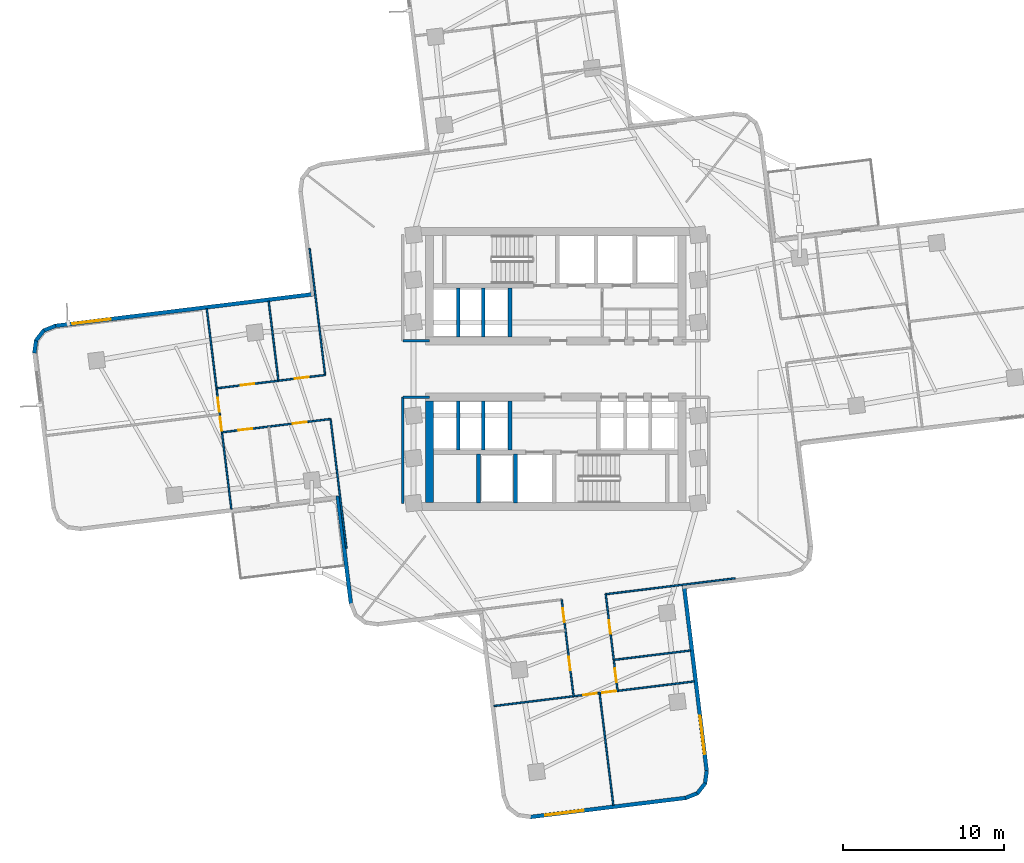
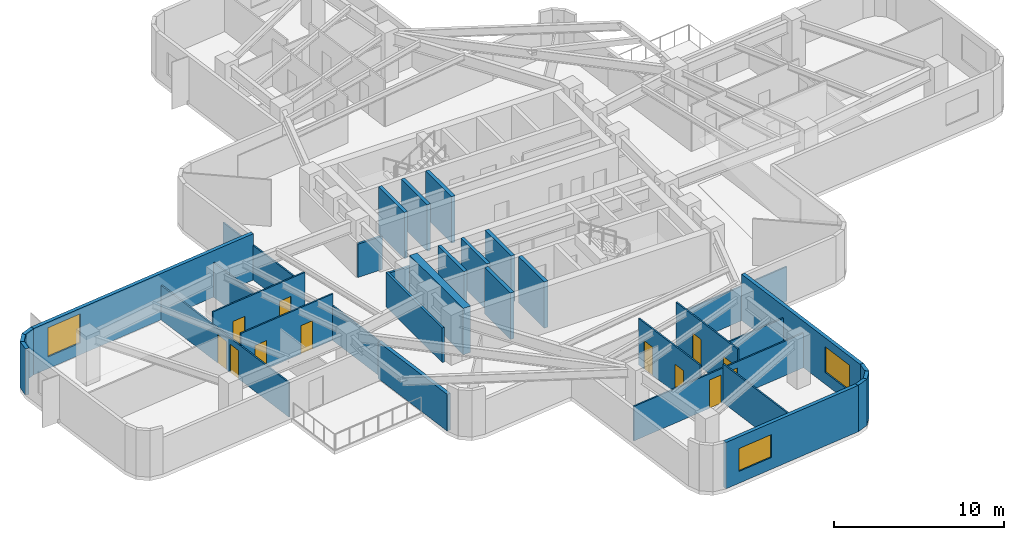
# One storey, part 3 of 9: 34 walls, 12 doors, 3 windows, 15 openings.
"""IFC4 building model written with IfcOpenShell, lengths in metres."""

import ifcopenshell
import ifcopenshell.guid

model = None  # the IFC model being written
_history = None  # IfcOwnerHistory: only IFC2X3 demands one
_inside = {}  # id of a spatial element -> (the spatial element, [elements in it])
_under = {}  # id of a project, library or spatial element -> (it, [spatial elements below it])
_declared = {}  # id of a project -> (the project, [libraries it declares])
_typed = {}  # id of a type object -> (the type object, [elements of that type])
_made_of = {}  # id of a material, layer set ... -> (it, [elements and type objects made of it])


def new_model(schema):
    """Start an empty IFC model of exactly this schema.

    Asked for "IFC4X3", IfcOpenShell would pick the latest addendum, in which some entities
    have other attributes; the version numbers below select the first issue.
    IFC2X3 requires an IfcOwnerHistory on every rooted entity: one is made here for all.
    """
    global model, _history
    if schema == "IFC4X3":
        model = ifcopenshell.file(schema_version=(4, 3, 0, 0))
    else:
        model = ifcopenshell.file(schema=schema)
    _inside.clear()
    _under.clear()
    _declared.clear()
    _typed.clear()
    _made_of.clear()
    _history = None
    if model.schema == "IFC2X3":
        org = make("IfcOrganization", Name="unknown")
        user = make(
            "IfcPersonAndOrganization",
            ThePerson=make("IfcPerson", FamilyName="unknown"),
            TheOrganization=org,
        )
        app = make(
            "IfcApplication",
            ApplicationDeveloper=org,
            Version="unknown",
            ApplicationFullName="unknown",
            ApplicationIdentifier="unknown",
        )
        _history = make(
            "IfcOwnerHistory",
            OwningUser=user,
            OwningApplication=app,
            ChangeAction="ADDED",
            CreationDate=0,
        )
    return model


def make(cls, **values):
    """One entity of the class cls with the attributes given. An attribute that is None is left unset."""
    return model.create_entity(
        cls, **{name: value for name, value in values.items() if value is not None}
    )


def rooted(cls, **values):
    """An entity with a GlobalId (a new one), such as an element, a storey or a relation."""
    return make(cls, GlobalId=ifcopenshell.guid.new(), OwnerHistory=_history, **values)


def si_unit(unit_type, name, prefix=None):
    """IfcSIUnit, for example si_unit("LENGTHUNIT", "METRE", prefix="MILLI")."""
    return make("IfcSIUnit", UnitType=unit_type, Prefix=prefix, Name=name)


def assignment(units):
    """IfcUnitAssignment: the units of a project."""
    return None if units is None else make("IfcUnitAssignment", Units=units)


def point(xyz):
    """IfcCartesianPoint."""
    return None if xyz is None else make("IfcCartesianPoint", Coordinates=xyz)


def direction(xyz):
    """IfcDirection."""
    return None if xyz is None else make("IfcDirection", DirectionRatios=xyz)


def frame(location, z_axis=None, x_axis=None):
    """IfcAxis2Placement3D, a coordinate frame: its origin and axes. An axis left out is left unset."""
    return make(
        "IfcAxis2Placement3D",
        Location=point(location),
        Axis=direction(z_axis),
        RefDirection=direction(x_axis),
    )


def frame_2d(location, x_axis=None):
    """IfcAxis2Placement2D, a coordinate frame in the plane: its origin and x axis."""
    return make(
        "IfcAxis2Placement2D", Location=point(location), RefDirection=direction(x_axis)
    )


def origin():
    """The frame at (0, 0, 0) with its axes left unset."""
    return frame((0.0, 0.0, 0.0))


def place(relative_to, where):
    """IfcLocalPlacement: puts the frame where relative to a parent placement (None: the world)."""
    return make(
        "IfcLocalPlacement", PlacementRelTo=relative_to, RelativePlacement=where
    )


def context(
    kind, dimensions, precision=None, world=None, true_north=None, identifier=None
):
    """IfcGeometricRepresentationContext, for example the 3D "Model" context."""
    return make(
        "IfcGeometricRepresentationContext",
        ContextIdentifier=identifier,
        ContextType=kind,
        CoordinateSpaceDimension=dimensions,
        Precision=precision,
        WorldCoordinateSystem=world,
        TrueNorth=true_north,
    )


def subcontext(parent, identifier, kind, view, scale=None):
    """IfcGeometricRepresentationSubContext, for example "Body" below "Model"."""
    return make(
        "IfcGeometricRepresentationSubContext",
        ContextIdentifier=identifier,
        ContextType=kind,
        ParentContext=parent,
        TargetScale=scale,
        TargetView=view,
    )


def project(units=None, contexts=None):
    """IfcProject with its units and contexts."""
    return rooted(
        "IfcProject",
        Name="project",
        RepresentationContexts=contexts,
        UnitsInContext=assignment(units),
    )


def spatial(cls, under=None, at=None, **own):
    """A site, building, storey or space (cls), placed at a placement, below another one or the project."""
    s = rooted(cls, ObjectPlacement=at, **own)
    if under is not None:
        _under.setdefault(under.id(), (under, []))[1].append(s)
    return s


def profile(cls, at=None, kind="AREA", **sizes):
    """A parametric profile (cls). Its sizes go by their IFC names, for example OverallWidth=200.0."""
    return make(cls, ProfileType=kind, Position=at, **sizes)


def rectangle(**sizes):
    """IfcRectangleProfileDef."""
    return profile("IfcRectangleProfileDef", **sizes)


def extrude(swept, where, along, depth):
    """IfcExtrudedAreaSolid: the profile swept, set in the frame where, extruded along a direction by depth."""
    return make(
        "IfcExtrudedAreaSolid",
        SweptArea=swept,
        Position=where,
        ExtrudedDirection=direction(along),
        Depth=depth,
    )


def shape(context_of_items, identifier, shape_type, items):
    """IfcShapeRepresentation: the items that make up one representation, for example the "Body"."""
    return make(
        "IfcShapeRepresentation",
        ContextOfItems=context_of_items,
        RepresentationIdentifier=identifier,
        RepresentationType=shape_type,
        Items=items,
    )


def material(Name=None, Category=None):
    """IfcMaterial."""
    return make("IfcMaterial", Name=Name, Category=Category)


def layer(
    of_material, thickness, ventilated=None, Name=None, Category=None, Priority=None
):
    """IfcMaterialLayer: one layer of a wall or slab, of a material (None: an air gap)."""
    return make(
        "IfcMaterialLayer",
        Material=of_material,
        LayerThickness=thickness,
        IsVentilated=ventilated,
        Name=Name,
        Category=Category,
        Priority=Priority,
    )


def layer_set(layers, Name=None):
    """IfcMaterialLayerSet."""
    return make("IfcMaterialLayerSet", MaterialLayers=layers, LayerSetName=Name)


def made_of(thing, what):
    """Note that an element or type object is made of a material, layer set ...; save() writes the relation."""
    if what is not None:
        _made_of.setdefault(what.id(), (what, []))[1].append(thing)
    return thing


def type_object(cls, material=None, **own):
    """A type object (cls), such as IfcWallType, which elements share."""
    return made_of(rooted(cls, **own), material)


def element(
    cls,
    number,
    at=None,
    inside=None,
    cuts=None,
    type_object=None,
    material=None,
    context=None,
    identifier="Body",
    shape_type=None,
    held_by="IfcProductDefinitionShape",
    body=None,
    shapes=None,
    **own,
):
    """One element of the class cls, such as IfcWall. Its Tag is "e" and its number.

    at: its placement. inside: the storey or other place that contains it. cuts: it is an
    opening in that element (IfcRelVoidsElement). A single representation is given by context,
    identifier, shape_type and body (its items); several are given by shapes. held_by: the class
    of the entity that holds the representations. save() writes the other relations.
    """
    e = rooted(cls, Tag="e%d" % number, ObjectPlacement=at, **own)
    if body is not None:
        shapes = [shape(context, identifier, shape_type, body)]
    if shapes is not None:
        e.Representation = make(held_by, Representations=shapes)
    if inside is not None:
        _inside.setdefault(inside.id(), (inside, []))[1].append(e)
    if cuts is not None:
        rooted(
            "IfcRelVoidsElement", RelatingBuildingElement=cuts, RelatedOpeningElement=e
        )
    if type_object is not None:
        _typed.setdefault(type_object.id(), (type_object, []))[1].append(e)
    return made_of(e, material)


def fill(opening, filler):
    """IfcRelFillsElement: the door or window that sits in an opening."""
    return rooted(
        "IfcRelFillsElement",
        RelatingOpeningElement=opening,
        RelatedBuildingElement=filler,
    )


def aggregate(whole, parts):
    """IfcRelAggregates: a whole, such as a stair, and the parts it consists of."""
    return rooted("IfcRelAggregates", RelatingObject=whole, RelatedObjects=parts)


def save(model, path):
    """Write the relations noted so far, then the file.

    IfcRelAggregates (storeys below a building ...), IfcRelContainedInSpatialStructure (elements
    in a storey), IfcRelDefinesByType, IfcRelAssociatesMaterial and IfcRelDeclares: one each for
    every whole, place, type object, material and project.
    """
    for whole, parts in _under.values():
        aggregate(whole, parts)
    for where, things in _inside.values():
        rooted(
            "IfcRelContainedInSpatialStructure",
            RelatedElements=things,
            RelatingStructure=where,
        )
    for kind, things in _typed.values():
        rooted("IfcRelDefinesByType", RelatedObjects=things, RelatingType=kind)
    for what, things in _made_of.values():
        rooted("IfcRelAssociatesMaterial", RelatedObjects=things, RelatingMaterial=what)
    for by, libraries in _declared.values():
        rooted("IfcRelDeclares", RelatingContext=by, RelatedDefinitions=libraries)
    model.write(path)


model = new_model("IFC4")

# Units and contexts
model_context = context("Model", 3, precision=1e-05, world=origin(), true_north=direction((0.0, 1.0)))
body_context = subcontext(model_context, "Body", "Model", "MODEL_VIEW")
ifc_project = project(units=[si_unit("LENGTHUNIT", "METRE"), si_unit("AREAUNIT", "SQUARE_METRE"), si_unit("VOLUMEUNIT", "CUBIC_METRE"), si_unit("PLANEANGLEUNIT", "RADIAN"), si_unit("MASSUNIT", "GRAM", prefix="KILO")], contexts=[model_context])

# Site, building, storey
site_placement = place(None, origin())
site = spatial("IfcSite", under=ifc_project, at=site_placement, CompositionType="ELEMENT")
building_placement = place(site_placement, origin())
building = spatial("IfcBuilding", under=site, at=building_placement, Name="Solmarez Civic Tower", CompositionType="ELEMENT")
storey_placement = place(building_placement, frame((0.0, 0.0, 78.47998046875)))
storey = spatial("IfcBuildingStorey", under=building, at=storey_placement, Name="L20", CompositionType="ELEMENT", Elevation=78.47998046875)

# Walls
ifc_material_1 = material(Name="Concrete C60/75", Category="concrete")
ifc_layer_1 = layer(ifc_material_1, 0.5)
ifc_layer_set_1 = layer_set([ifc_layer_1], Name="Concrete C60/75")
wall_type_1 = type_object("IfcWallType", Name="WALL-CORE-500", PredefinedType="SHEAR", material=ifc_layer_set_1)
wall_1_placement = place(storey_placement, frame((-7.8701171875, -8.31005859375, 0.0), z_axis=(0.0, 0.0, 1.0), x_axis=(0.0, 1.0, 0.0)))
element("IfcWall", 1, at=wall_1_placement, inside=storey, type_object=wall_type_1, Name="L20 Split-Core Structural Wall SCW-W-L20", PredefinedType="SHEAR", context=body_context, shape_type="SweptSolid", body=[
    extrude(rectangle(XDim=6.31005859375, YDim=0.5, at=frame_2d((3.155029296875, 0.0))), origin(), (0.0, 0.0, 1.0), 3.340087890625),
])
ifc_material_2 = material(Name="Precast concrete C40/50", Category="concrete")
ifc_layer_2 = layer(ifc_material_2, 0.239990234375)
ifc_layer_set_2 = layer_set([ifc_layer_2], Name="Precast concrete C40/50")
wall_type_2 = type_object("IfcWallType", Name="WALL-EXT-240", PredefinedType="SOLIDWALL", material=ifc_layer_set_2)
wall_2_placement = place(storey_placement, frame((-32.448974609375, 0.992919921875, 0.0), z_axis=(0.0, 0.0, 1.0), x_axis=(0.138538220487, 0.990357087855, 0.0)))
element("IfcWall", 2, at=wall_2_placement, inside=storey, type_object=wall_type_2, Name="L20 Exterior Precast Wall 7", PredefinedType="SOLIDWALL", context=body_context, shape_type="SweptSolid", body=[
    extrude(rectangle(XDim=0.830078125, YDim=0.239990234375, at=frame_2d((0.4150390625, 0.0))), origin(), (0.0, 0.0, 1.0), 3.340087890625),
])
wall_3_placement = place(storey_placement, frame((-32.35205078125, 1.77001953125, 0.0), z_axis=(0.0, 0.0, 1.0), x_axis=(0.614397431824, 0.788996702001, 0.0)))
element("IfcWall", 3, at=wall_3_placement, inside=storey, type_object=wall_type_2, Name="L20 Exterior Precast Wall 8", PredefinedType="SOLIDWALL", context=body_context, shape_type="SweptSolid", body=[
    extrude(rectangle(XDim=0.813720703125, YDim=0.239990234375, at=frame_2d((0.40673828125, 0.0))), origin(), (0.0, 0.0, 1.0), 3.340087890625),
])
wall_4_placement = place(storey_placement, frame((-31.889892578125, 2.383056640625, 0.0), z_axis=(0.0, 0.0, 1.0), x_axis=(0.927007742151, 0.375042192283, 0.0)))
element("IfcWall", 4, at=wall_4_placement, inside=storey, type_object=wall_type_2, Name="L20 Exterior Precast Wall 9", PredefinedType="SOLIDWALL", context=body_context, shape_type="SweptSolid", body=[
    extrude(rectangle(XDim=0.829345703125, YDim=0.239990234375, at=frame_2d((0.41455078125, 0.0))), origin(), (0.0, 0.0, 1.0), 3.340087890625),
])

# Wall, opening, window
wall_5_placement = place(storey_placement, frame((-31.1689453125, 2.681884765625, 0.0), z_axis=(0.0, 0.0, 1.0), x_axis=(0.992548484973, 0.121850338438, 0.0)))
wall_5 = element("IfcWall", 5, at=wall_5_placement, inside=storey, type_object=wall_type_2, Name="L20 Exterior Precast Wall 10", PredefinedType="SOLIDWALL", context=body_context, shape_type="SweptSolid", body=[
    extrude(rectangle(XDim=16.275390625, YDim=0.239990234375, at=frame_2d((8.1376953125, 0.0))), origin(), (0.0, 0.0, 1.0), 3.340087890625),
])
opening_1_placement = place(wall_5_placement, frame((1.10009765625, 0.0, 0.85009765625)))
opening_1 = element("IfcOpeningElement", 6, at=opening_1_placement, cuts=wall_5, Name="Opening W-02", PredefinedType="OPENING", context=body_context, shape_type="SweptSolid", body=[
    extrude(rectangle(XDim=2.39990234375, YDim=2.10009765625, at=frame_2d((1.199951171875, 1.050048828125))), frame((0.0, 0.1298828125, 0.0), z_axis=(0.0, -1.0, 0.0), x_axis=(1.0, 0.0, 0.0)), (0.0, 0.0, 1.0), 0.260009765625),
])
ifc_material_3 = material(Name="Solar Control Bronze-Tinted Insulating Glass", Category="glass")
window_type_1 = type_object("IfcWindowType", Name="WIN-2400X2100", PartitioningType="SINGLE_PANEL", PredefinedType="WINDOW", material=ifc_material_3)
window_1_placement = place(opening_1_placement, origin())
window_1 = element("IfcWindow", 7, at=window_1_placement, inside=storey, type_object=window_type_1, Name="L20 Exterior Facade Window 10", OverallHeight=2.10009765625, OverallWidth=2.39990234375, PartitioningType="SINGLE_PANEL", PredefinedType="WINDOW", context=body_context, shape_type="SweptSolid", body=[
    extrude(rectangle(XDim=2.39990234375, YDim=2.10009765625, at=frame_2d((1.199951171875, 1.050048828125))), frame((0.0, 0.030029296875, 0.0), z_axis=(0.0, -1.0, 0.0), x_axis=(1.0, 0.0, 0.0)), (0.0, 0.0, 1.0), 0.06005859375),
])
fill(opening_1, window_1)

wall_6_placement = place(storey_placement, frame((7.97998046875, -13.4619140625, 0.0), z_axis=(0.0, 0.0, 1.0), x_axis=(0.121890578705, -0.992543544044, 0.0)))
wall_6 = element("IfcWall", 8, at=wall_6_placement, inside=storey, type_object=wall_type_2, Name="L20 Exterior Precast Wall 56", PredefinedType="SOLIDWALL", context=body_context, shape_type="SweptSolid", body=[
    extrude(rectangle(XDim=11.67529296875, YDim=0.239990234375, at=frame_2d((5.837646484375, 0.0))), origin(), (0.0, 0.0, 1.0), 3.340087890625),
])
opening_2_placement = place(wall_6_placement, frame((8.175048828125, 0.0, 0.85009765625)))
opening_2 = element("IfcOpeningElement", 9, at=opening_2_placement, cuts=wall_6, Name="Opening W-06", PredefinedType="OPENING", context=body_context, shape_type="SweptSolid", body=[
    extrude(rectangle(XDim=2.39990234375, YDim=1.85009765625, at=frame_2d((1.199951171875, 0.925048828125))), frame((0.0, 0.1298828125, 0.0), z_axis=(0.0, -1.0, 0.0), x_axis=(1.0, 0.0, 0.0)), (0.0, 0.0, 1.0), 0.260009765625),
])
window_type_2 = type_object("IfcWindowType", Name="WIN-2400X1850", PartitioningType="SINGLE_PANEL", PredefinedType="WINDOW", material=ifc_material_3)
window_2_placement = place(opening_2_placement, origin())
window_2 = element("IfcWindow", 10, at=window_2_placement, inside=storey, type_object=window_type_2, Name="L20 Exterior Facade Window 56", OverallHeight=1.85009765625, OverallWidth=2.39990234375, PartitioningType="SINGLE_PANEL", PredefinedType="WINDOW", context=body_context, shape_type="SweptSolid", body=[
    extrude(rectangle(XDim=2.39990234375, YDim=1.85009765625, at=frame_2d((1.199951171875, 0.925048828125))), frame((0.0, 0.030029296875, 0.0), z_axis=(0.0, -1.0, 0.0), x_axis=(1.0, 0.0, 0.0)), (0.0, 0.0, 1.0), 0.06005859375),
])
fill(opening_2, window_2)

# Walls
wall_7_placement = place(storey_placement, frame((9.403076171875, -25.0, 0.0), z_axis=(0.0, 0.0, 1.0), x_axis=(-0.138376981782, -0.990379629694, 0.0)))
element("IfcWall", 11, at=wall_7_placement, inside=storey, type_object=wall_type_2, Name="L20 Exterior Precast Wall 57", PredefinedType="SOLIDWALL", context=body_context, shape_type="SweptSolid", body=[
    extrude(rectangle(XDim=0.8310546875, YDim=0.239990234375, at=frame_2d((0.41552734375, 0.0))), origin(), (0.0, 0.0, 1.0), 3.340087890625),
])
wall_8_placement = place(storey_placement, frame((9.305908203125, -25.778076171875, 0.0), z_axis=(0.0, 0.0, 1.0), x_axis=(-0.614542882467, -0.788883416995, 0.0)))
element("IfcWall", 12, at=wall_8_placement, inside=storey, type_object=wall_type_2, Name="L20 Exterior Precast Wall 58", PredefinedType="SOLIDWALL", context=body_context, shape_type="SweptSolid", body=[
    extrude(rectangle(XDim=0.813720703125, YDim=0.239990234375, at=frame_2d((0.40673828125, 0.0))), origin(), (0.0, 0.0, 1.0), 3.340087890625),
])
wall_9_placement = place(storey_placement, frame((8.843994140625, -26.39111328125, 0.0), z_axis=(0.0, 0.0, 1.0), x_axis=(-0.92756002783, -0.37367418264, 0.0)))
element("IfcWall", 13, at=wall_9_placement, inside=storey, type_object=wall_type_2, Name="L20 Exterior Precast Wall 59", PredefinedType="SOLIDWALL", context=body_context, shape_type="SweptSolid", body=[
    extrude(rectangle(XDim=0.8291015625, YDim=0.239990234375, at=frame_2d((0.41455078125, 0.0))), origin(), (0.0, 0.0, 1.0), 3.340087890625),
])

# Wall, opening, window
wall_10_placement = place(storey_placement, frame((8.123046875, -26.68896484375, 0.0), z_axis=(0.0, 0.0, 1.0), x_axis=(-0.992547632308, -0.12185728374, 0.0)))
wall_10 = element("IfcWall", 14, at=wall_10_placement, inside=storey, type_object=wall_type_2, Name="L20 Exterior Precast Wall 60", PredefinedType="SOLIDWALL", context=body_context, shape_type="SweptSolid", body=[
    extrude(rectangle(XDim=9.799072265625, YDim=0.239990234375, at=frame_2d((4.8994140625, 0.0))), origin(), (0.0, 0.0, 1.0), 3.340087890625),
])
opening_3_placement = place(wall_10_placement, frame((6.443115234375, 0.0, 0.85009765625)))
opening_3 = element("IfcOpeningElement", 15, at=opening_3_placement, cuts=wall_10, Name="Opening W-10", PredefinedType="OPENING", context=body_context, shape_type="SweptSolid", body=[
    extrude(rectangle(XDim=2.39990234375, YDim=1.64990234375, at=frame_2d((1.199951171875, 0.824951171875))), frame((0.0, 0.1298828125, 0.0), z_axis=(0.0, -1.0, 0.0), x_axis=(1.0, 0.0, 0.0)), (0.0, 0.0, 1.0), 0.260009765625),
])
window_type_3 = type_object("IfcWindowType", Name="WIN-2400X1650", PartitioningType="SINGLE_PANEL", PredefinedType="WINDOW", material=ifc_material_3)
window_3_placement = place(opening_3_placement, origin())
window_3 = element("IfcWindow", 16, at=window_3_placement, inside=storey, type_object=window_type_3, Name="L20 Exterior Facade Window 60", OverallHeight=1.64990234375, OverallWidth=2.39990234375, PartitioningType="SINGLE_PANEL", PredefinedType="WINDOW", context=body_context, shape_type="SweptSolid", body=[
    extrude(rectangle(XDim=2.39990234375, YDim=1.64990234375, at=frame_2d((1.199951171875, 0.824951171875))), frame((0.0, 0.030029296875, 0.0), z_axis=(0.0, -1.0, 0.0), x_axis=(1.0, 0.0, 0.0)), (0.0, 0.0, 1.0), 0.06005859375),
])
fill(opening_3, window_3)

# Walls
wall_11_placement = place(storey_placement, frame((-12.742919921875, -14.62109375, 0.0), z_axis=(0.0, 0.0, 1.0), x_axis=(-0.121949848087, 0.992536263595, 0.0)))
element("IfcWall", 17, at=wall_11_placement, inside=storey, type_object=wall_type_2, Name="L20 Exterior Precast Wall 71", PredefinedType="SOLIDWALL", context=body_context, shape_type="SweptSolid", body=[
    extrude(rectangle(XDim=6.774658203125, YDim=0.239990234375, at=frame_2d((3.38720703125, 0.0))), origin(), (0.0, 0.0, 1.0), 2.64404296875),
])
ifc_material_4 = material(Name="Gypsum Board Acoustic Steel-Stud Partition", Category="steel")
ifc_layer_3 = layer(ifc_material_4, 0.14990234375)
ifc_layer_set_3 = layer_set([ifc_layer_3], Name="Gypsum Board Acoustic Steel-Stud Partition")
wall_type_3 = type_object("IfcWallType", Name="WALL-INT-FIRE-150", PredefinedType="PARTITIONING", material=ifc_layer_set_3)
wall_12_placement = place(storey_placement, frame((-7.85009765625, 1.75, 0.0), z_axis=(0.0, 0.0, 1.0), x_axis=(-1.0, 0.0, 0.0)))
element("IfcWall", 18, at=wall_12_placement, inside=storey, type_object=wall_type_3, Name="L20 Interior Partition CHW-L20-WN3", PredefinedType="PARTITIONING", context=body_context, shape_type="SweptSolid", body=[
    extrude(rectangle(XDim=1.669921875, YDim=0.14990234375, at=frame_2d((0.8349609375, 0.0))), origin(), (0.0, 0.0, 1.0), 2.405029296875),
])
wall_13_placement = place(storey_placement, frame((-9.52001953125, -8.3798828125, 0.0), z_axis=(0.0, 0.0, 1.0), x_axis=(0.0, 1.0, 0.0)))
element("IfcWall", 19, at=wall_13_placement, inside=storey, type_object=wall_type_3, Name="L20 Interior Partition CHW-L20-WS1", PredefinedType="PARTITIONING", context=body_context, shape_type="SweptSolid", body=[
    extrude(rectangle(XDim=6.6298828125, YDim=0.14990234375, at=frame_2d((3.31494140625, 0.0))), origin(), (0.0, 0.0, 1.0), 2.486083984375),
])
wall_14_placement = place(storey_placement, frame((-7.85009765625, -1.75, 0.0), z_axis=(0.0, 0.0, 1.0), x_axis=(-1.0, 0.0, 0.0)))
element("IfcWall", 20, at=wall_14_placement, inside=storey, type_object=wall_type_3, Name="L20 Interior Partition CHW-L20-WS3", PredefinedType="PARTITIONING", context=body_context, shape_type="SweptSolid", body=[
    extrude(rectangle(XDim=1.669921875, YDim=0.14990234375, at=frame_2d((0.8349609375, 0.0))), origin(), (0.0, 0.0, 1.0), 2.405029296875),
])
ifc_layer_4 = layer(ifc_material_4, 0.10009765625)
ifc_layer_set_4 = layer_set([ifc_layer_4], Name="Gypsum Board Acoustic Steel-Stud Partition")
wall_type_4 = type_object("IfcWallType", Name="WALL-INT-PART-100", PredefinedType="PARTITIONING", material=ifc_layer_set_4)
wall_15_placement = place(storey_placement, frame((-14.01708984375, -3.10107421875, 0.0), z_axis=(0.0, 0.0, 1.0), x_axis=(0.122045971517, -0.992524448483, 0.0)))
element("IfcWall", 21, at=wall_15_placement, inside=storey, type_object=wall_type_4, Name="L20 Interior Partition PT-L20-W-EFL", PredefinedType="PARTITIONING", context=body_context, shape_type="SweptSolid", body=[
    extrude(rectangle(XDim=8.129638671875, YDim=0.10009765625, at=frame_2d((4.06494140625, 0.0))), origin(), (0.0, 0.0, 1.0), 2.486083984375),
])
wall_16_placement = place(storey_placement, frame((-15.320068359375, 7.509033203125, 0.0), z_axis=(0.0, 0.0, 1.0), x_axis=(0.122001160868, -0.992529957607, 0.0)))
element("IfcWall", 22, at=wall_16_placement, inside=storey, type_object=wall_type_4, Name="L20 Interior Partition PT-L20-W-EFR", PredefinedType="PARTITIONING", context=body_context, shape_type="SweptSolid", body=[
    extrude(rectangle(XDim=7.950439453125, YDim=0.10009765625, at=frame_2d((3.97509765625, 0.0))), origin(), (0.0, 0.0, 1.0), 2.486083984375),
])
wall_17_placement = place(storey_placement, frame((-17.868896484375, 4.22900390625, 0.0), z_axis=(0.0, 0.0, 1.0), x_axis=(0.121993075508, -0.992530951421, 0.0)))
element("IfcWall", 23, at=wall_17_placement, inside=storey, type_object=wall_type_4, Name="L20 Interior Partition PT-L20-W-RM", PredefinedType="PARTITIONING", context=body_context, shape_type="SweptSolid", body=[
    extrude(rectangle(XDim=4.97509765625, YDim=0.10009765625, at=frame_2d((2.487548828125, 0.0))), origin(), (0.0, 0.0, 1.0), 2.486083984375),
])

# Wall, openings, doors
wall_18_placement = place(storey_placement, frame((-20.77490234375, -3.94091796875, 0.0), z_axis=(0.0, 0.0, 1.0), x_axis=(0.992549540745, 0.121841738199, 0.0)))
wall_18 = element("IfcWall", 24, at=wall_18_placement, inside=storey, type_object=wall_type_4, Name="L20 Interior Partition PT-L20-W-SL", PredefinedType="PARTITIONING", context=body_context, shape_type="SweptSolid", body=[
    extrude(rectangle(XDim=6.810791015625, YDim=0.10009765625, at=frame_2d((3.4052734375, 0.0))), origin(), (0.0, 0.0, 1.0), 3.340087890625),
])
opening_4_placement = place(wall_18_placement, frame((4.44091796875, 0.0, 0.0)))
opening_4 = element("IfcOpeningElement", 25, at=opening_4_placement, cuts=wall_18, Name="Opening D-14", PredefinedType="OPENING", context=body_context, shape_type="SweptSolid", body=[
    extrude(rectangle(XDim=0.860107421875, YDim=2.0400390625, at=frame_2d((0.43017578125, 1.02001953125))), frame((0.0, 0.06005859375, 0.0), z_axis=(0.0, -1.0, 0.0), x_axis=(1.0, 0.0, 0.0)), (0.0, 0.0, 1.0), 0.1201171875),
])
opening_5_placement = place(wall_18_placement, frame((1.035888671875, 0.0, 0.0)))
opening_5 = element("IfcOpeningElement", 26, at=opening_5_placement, cuts=wall_18, Name="Opening D-14", PredefinedType="OPENING", context=body_context, shape_type="SweptSolid", body=[
    extrude(rectangle(XDim=0.860107421875, YDim=2.0400390625, at=frame_2d((0.43017578125, 1.02001953125))), frame((0.0, 0.06005859375, 0.0), z_axis=(0.0, -1.0, 0.0), x_axis=(1.0, 0.0, 0.0)), (0.0, 0.0, 1.0), 0.1201171875),
])
ifc_material_5 = material(Name="Timber Storage and Pantry Door", Category="wood")
door_type = type_object("IfcDoorType", Name="DOOR-INT-850", OperationType="NOTDEFINED", PredefinedType="DOOR", material=ifc_material_5)
door_1_placement = place(opening_4_placement, origin())
door_1 = element("IfcDoor", 27, at=door_1_placement, inside=storey, type_object=door_type, Name="L20 Public Reading Room First West Door", OperationType="SINGLE_SWING_LEFT", OverallHeight=2.0400390625, OverallWidth=0.860107421875, PredefinedType="DOOR", context=body_context, shape_type="SweptSolid", body=[
    extrude(rectangle(XDim=0.860107421875, YDim=2.0400390625, at=frame_2d((0.43017578125, 1.02001953125))), frame((0.0, 0.02490234375, 0.0), z_axis=(0.0, -1.0, 0.0), x_axis=(1.0, 0.0, 0.0)), (0.0, 0.0, 1.0), 0.050048828125),
])
fill(opening_4, door_1)
door_2_placement = place(opening_5_placement, origin())
door_2 = element("IfcDoor", 28, at=door_2_placement, inside=storey, type_object=door_type, Name="L20 Delegates Study Lounge Second West Door", OperationType="SINGLE_SWING_RIGHT", OverallHeight=2.0400390625, OverallWidth=0.860107421875, PredefinedType="DOOR", context=body_context, shape_type="SweptSolid", body=[
    extrude(rectangle(XDim=0.860107421875, YDim=2.0400390625, at=frame_2d((0.43017578125, 1.02001953125))), frame((0.0, 0.02490234375, 0.0), z_axis=(0.0, -1.0, 0.0), x_axis=(1.0, 0.0, 0.0)), (0.0, 0.0, 1.0), 0.050048828125),
])
fill(opening_5, door_2)

wall_19_placement = place(storey_placement, frame((-14.35205078125, -0.3720703125, 0.0), z_axis=(0.0, 0.0, 1.0), x_axis=(-0.992547411675, -0.121859080812, 0.0)))
wall_19 = element("IfcWall", 29, at=wall_19_placement, inside=storey, type_object=wall_type_4, Name="L20 Interior Partition PT-L20-W-SR", PredefinedType="PARTITIONING", context=body_context, shape_type="SweptSolid", body=[
    extrude(rectangle(XDim=6.809814453125, YDim=0.10009765625, at=frame_2d((3.40478515625, 0.0))), origin(), (0.0, 0.0, 1.0), 3.340087890625),
])
opening_6_placement = place(wall_19_placement, frame((1.034912109375, 0.0, 0.0)))
opening_6 = element("IfcOpeningElement", 30, at=opening_6_placement, cuts=wall_19, Name="Opening D-14", PredefinedType="OPENING", context=body_context, shape_type="SweptSolid", body=[
    extrude(rectangle(XDim=0.860107421875, YDim=2.0400390625, at=frame_2d((0.43017578125, 1.02001953125))), frame((0.0, 0.06005859375, 0.0), z_axis=(0.0, -1.0, 0.0), x_axis=(1.0, 0.0, 0.0)), (0.0, 0.0, 1.0), 0.1201171875),
])
opening_7_placement = place(wall_19_placement, frame((4.43994140625, 0.0, 0.0)))
opening_7 = element("IfcOpeningElement", 31, at=opening_7_placement, cuts=wall_19, Name="Opening D-14", PredefinedType="OPENING", context=body_context, shape_type="SweptSolid", body=[
    extrude(rectangle(XDim=0.860107421875, YDim=2.0400390625, at=frame_2d((0.43017578125, 1.02001953125))), frame((0.0, 0.06005859375, 0.0), z_axis=(0.0, -1.0, 0.0), x_axis=(1.0, 0.0, 0.0)), (0.0, 0.0, 1.0), 0.1201171875),
])
door_3_placement = place(opening_6_placement, origin())
door_3 = element("IfcDoor", 32, at=door_3_placement, inside=storey, type_object=door_type, Name="L20 Wellness Fitness Room Third West Door", OperationType="SINGLE_SWING_RIGHT", OverallHeight=2.0400390625, OverallWidth=0.860107421875, PredefinedType="DOOR", context=body_context, shape_type="SweptSolid", body=[
    extrude(rectangle(XDim=0.860107421875, YDim=2.0400390625, at=frame_2d((0.43017578125, 1.02001953125))), frame((0.0, 0.02490234375, 0.0), z_axis=(0.0, -1.0, 0.0), x_axis=(1.0, 0.0, 0.0)), (0.0, 0.0, 1.0), 0.050048828125),
])
fill(opening_6, door_3)
door_4_placement = place(opening_7_placement, origin())
door_4 = element("IfcDoor", 33, at=door_4_placement, inside=storey, type_object=door_type, Name="L20 Citizen Legal Clinic Fourth West Door", OperationType="SINGLE_SWING_LEFT", OverallHeight=2.0400390625, OverallWidth=0.860107421875, PredefinedType="DOOR", context=body_context, shape_type="SweptSolid", body=[
    extrude(rectangle(XDim=0.860107421875, YDim=2.0400390625, at=frame_2d((0.43017578125, 1.02001953125))), frame((0.0, 0.02490234375, 0.0), z_axis=(0.0, -1.0, 0.0), x_axis=(1.0, 0.0, 0.0)), (0.0, 0.0, 1.0), 0.050048828125),
])
fill(opening_7, door_4)

wall_20_placement = place(storey_placement, frame((-20.18701171875, -8.719970703125, 0.0), z_axis=(0.0, 0.0, 1.0), x_axis=(-0.121878209661, 0.992545062962, 0.0)))
wall_20 = element("IfcWall", 34, at=wall_20_placement, inside=storey, type_object=wall_type_4, Name="L20 Interior Partition PT-L20-W-END", PredefinedType="PARTITIONING", context=body_context, shape_type="SweptSolid", body=[
    extrude(rectangle(XDim=12.56982421875, YDim=0.10009765625, at=frame_2d((6.284912109375, 0.0))), origin(), (0.0, 0.0, 1.0), 2.486083984375),
])
opening_8_placement = place(wall_20_placement, frame((6.114990234375, 0.0, 0.0)))
opening_8 = element("IfcOpeningElement", 35, at=opening_8_placement, cuts=wall_20, Name="Opening D-14", PredefinedType="OPENING", context=body_context, shape_type="SweptSolid", body=[
    extrude(rectangle(XDim=0.860107421875, YDim=2.0400390625, at=frame_2d((0.43017578125, 1.02001953125))), frame((0.0, 0.06005859375, 0.0), z_axis=(0.0, -1.0, 0.0), x_axis=(1.0, 0.0, 0.0)), (0.0, 0.0, 1.0), 0.1201171875),
])
opening_9_placement = place(wall_20_placement, frame((4.9150390625, 0.0, 0.0)))
opening_9 = element("IfcOpeningElement", 36, at=opening_9_placement, cuts=wall_20, Name="Opening D-14", PredefinedType="OPENING", context=body_context, shape_type="SweptSolid", body=[
    extrude(rectangle(XDim=0.860107421875, YDim=2.0400390625, at=frame_2d((0.43017578125, 1.02001953125))), frame((0.0, 0.06005859375, 0.0), z_axis=(0.0, -1.0, 0.0), x_axis=(1.0, 0.0, 0.0)), (0.0, 0.0, 1.0), 0.1201171875),
])
door_5_placement = place(opening_8_placement, origin())
door_5 = element("IfcDoor", 37, at=door_5_placement, inside=storey, type_object=door_type, Name="L20 Citizen Legal Clinic Sixth West Door", OperationType="SINGLE_SWING_RIGHT", OverallHeight=2.0400390625, OverallWidth=0.860107421875, PredefinedType="DOOR", context=body_context, shape_type="SweptSolid", body=[
    extrude(rectangle(XDim=0.860107421875, YDim=2.0400390625, at=frame_2d((0.43017578125, 1.02001953125))), frame((0.0, 0.02490234375, 0.0), z_axis=(0.0, -1.0, 0.0), x_axis=(1.0, 0.0, 0.0)), (0.0, 0.0, 1.0), 0.050048828125),
])
fill(opening_8, door_5)
door_6_placement = place(opening_9_placement, origin())
door_6 = element("IfcDoor", 38, at=door_6_placement, inside=storey, type_object=door_type, Name="L20 Wellness Fitness Room Fifth West Door", OperationType="SINGLE_SWING_LEFT", OverallHeight=2.0400390625, OverallWidth=0.860107421875, PredefinedType="DOOR", context=body_context, shape_type="SweptSolid", body=[
    extrude(rectangle(XDim=0.860107421875, YDim=2.0400390625, at=frame_2d((0.43017578125, 1.02001953125))), frame((0.0, 0.02490234375, 0.0), z_axis=(0.0, -1.0, 0.0), x_axis=(1.0, 0.0, 0.0)), (0.0, 0.0, 1.0), 0.050048828125),
])
fill(opening_9, door_6)

# Walls
wall_21_placement = place(storey_placement, frame((3.10107421875, -14.01708984375, 0.0), z_axis=(0.0, 0.0, 1.0), x_axis=(0.992524448483, 0.122045971517, 0.0)))
element("IfcWall", 39, at=wall_21_placement, inside=storey, type_object=wall_type_4, Name="L20 Interior Partition PT-L20-S-EFL", PredefinedType="PARTITIONING", context=body_context, shape_type="SweptSolid", body=[
    extrude(rectangle(XDim=8.129638671875, YDim=0.10009765625, at=frame_2d((4.06494140625, 0.0))), origin(), (0.0, 0.0, 1.0), 2.486083984375),
])
wall_22_placement = place(storey_placement, frame((3.633056640625, -18.10205078125, 0.0), z_axis=(0.0, 0.0, 1.0), x_axis=(0.992555014783, 0.121797137196, 0.0)))
element("IfcWall", 40, at=wall_22_placement, inside=storey, type_object=wall_type_4, Name="L20 Interior Partition PT-L20-S-LM", PredefinedType="PARTITIONING", context=body_context, shape_type="SweptSolid", body=[
    extrude(rectangle(XDim=4.794677734375, YDim=0.10009765625, at=frame_2d((2.3974609375, 0.0))), origin(), (0.0, 0.0, 1.0), 2.486083984375),
])

# Wall, openings, doors
wall_23_placement = place(storey_placement, frame((3.85009765625, -20.030029296875, 0.0), z_axis=(0.0, 0.0, 1.0), x_axis=(-0.121942127656, 0.99253721215, 0.0)))
wall_23 = element("IfcWall", 41, at=wall_23_placement, inside=storey, type_object=wall_type_4, Name="L20 Interior Partition PT-L20-S-SL", PredefinedType="PARTITIONING", context=body_context, shape_type="SweptSolid", body=[
    extrude(rectangle(XDim=6.060302734375, YDim=0.10009765625, at=frame_2d((3.0302734375, 0.0))), origin(), (0.0, 0.0, 1.0), 3.340087890625),
])
opening_10_placement = place(wall_23_placement, frame((3.570068359375, 0.0, 0.0)))
opening_10 = element("IfcOpeningElement", 42, at=opening_10_placement, cuts=wall_23, Name="Opening D-14", PredefinedType="OPENING", context=body_context, shape_type="SweptSolid", body=[
    extrude(rectangle(XDim=0.860107421875, YDim=2.0400390625, at=frame_2d((0.43017578125, 1.02001953125))), frame((0.0, 0.06005859375, 0.0), z_axis=(0.0, -1.0, 0.0), x_axis=(1.0, 0.0, 0.0)), (0.0, 0.0, 1.0), 0.1201171875),
])
opening_11_placement = place(wall_23_placement, frame((0.5400390625, 0.0, 0.0)))
opening_11 = element("IfcOpeningElement", 43, at=opening_11_placement, cuts=wall_23, Name="Opening D-14", PredefinedType="OPENING", context=body_context, shape_type="SweptSolid", body=[
    extrude(rectangle(XDim=0.860107421875, YDim=2.0400390625, at=frame_2d((0.43017578125, 1.02001953125))), frame((0.0, 0.06005859375, 0.0), z_axis=(0.0, -1.0, 0.0), x_axis=(1.0, 0.0, 0.0)), (0.0, 0.0, 1.0), 0.1201171875),
])
door_7_placement = place(opening_10_placement, origin())
door_7 = element("IfcDoor", 44, at=door_7_placement, inside=storey, type_object=door_type, Name="L20 Delegates Study Lounge First South Door", OperationType="SINGLE_SWING_LEFT", OverallHeight=2.0400390625, OverallWidth=0.860107421875, PredefinedType="DOOR", context=body_context, shape_type="SweptSolid", body=[
    extrude(rectangle(XDim=0.860107421875, YDim=2.0400390625, at=frame_2d((0.43017578125, 1.02001953125))), frame((0.0, 0.02490234375, 0.0), z_axis=(0.0, -1.0, 0.0), x_axis=(1.0, 0.0, 0.0)), (0.0, 0.0, 1.0), 0.050048828125),
])
fill(opening_10, door_7)
door_8_placement = place(opening_11_placement, origin())
door_8 = element("IfcDoor", 45, at=door_8_placement, inside=storey, type_object=door_type, Name="L20 Wellness Fitness Room Second South Door", OperationType="SINGLE_SWING_RIGHT", OverallHeight=2.0400390625, OverallWidth=0.860107421875, PredefinedType="DOOR", context=body_context, shape_type="SweptSolid", body=[
    extrude(rectangle(XDim=0.860107421875, YDim=2.0400390625, at=frame_2d((0.43017578125, 1.02001953125))), frame((0.0, 0.02490234375, 0.0), z_axis=(0.0, -1.0, 0.0), x_axis=(1.0, 0.0, 0.0)), (0.0, 0.0, 1.0), 0.050048828125),
])
fill(opening_11, door_8)

wall_24_placement = place(storey_placement, frame((0.3720703125, -14.35205078125, 0.0), z_axis=(0.0, 0.0, 1.0), x_axis=(0.121807732679, -0.992553714546, 0.0)))
wall_24 = element("IfcWall", 46, at=wall_24_placement, inside=storey, type_object=wall_type_4, Name="L20 Interior Partition PT-L20-S-SR", PredefinedType="PARTITIONING", context=body_context, shape_type="SweptSolid", body=[
    extrude(rectangle(XDim=6.05908203125, YDim=0.10009765625, at=frame_2d((3.029541015625, 0.0))), origin(), (0.0, 0.0, 1.0), 3.340087890625),
])
opening_12_placement = place(wall_24_placement, frame((0.5400390625, 0.0, 0.0)))
opening_12 = element("IfcOpeningElement", 47, at=opening_12_placement, cuts=wall_24, Name="Opening D-14", PredefinedType="OPENING", context=body_context, shape_type="SweptSolid", body=[
    extrude(rectangle(XDim=0.860107421875, YDim=2.0400390625, at=frame_2d((0.43017578125, 1.02001953125))), frame((0.0, 0.06005859375, 0.0), z_axis=(0.0, -1.0, 0.0), x_axis=(1.0, 0.0, 0.0)), (0.0, 0.0, 1.0), 0.1201171875),
])
opening_13_placement = place(wall_24_placement, frame((3.570068359375, 0.0, 0.0)))
opening_13 = element("IfcOpeningElement", 48, at=opening_13_placement, cuts=wall_24, Name="Opening D-14", PredefinedType="OPENING", context=body_context, shape_type="SweptSolid", body=[
    extrude(rectangle(XDim=0.860107421875, YDim=2.0400390625, at=frame_2d((0.43017578125, 1.02001953125))), frame((0.0, 0.06005859375, 0.0), z_axis=(0.0, -1.0, 0.0), x_axis=(1.0, 0.0, 0.0)), (0.0, 0.0, 1.0), 0.1201171875),
])
door_9_placement = place(opening_12_placement, origin())
door_9 = element("IfcDoor", 49, at=door_9_placement, inside=storey, type_object=door_type, Name="L20 Citizen Legal Clinic Third South Door", OperationType="SINGLE_SWING_RIGHT", OverallHeight=2.0400390625, OverallWidth=0.860107421875, PredefinedType="DOOR", context=body_context, shape_type="SweptSolid", body=[
    extrude(rectangle(XDim=0.860107421875, YDim=2.0400390625, at=frame_2d((0.43017578125, 1.02001953125))), frame((0.0, 0.02490234375, 0.0), z_axis=(0.0, -1.0, 0.0), x_axis=(1.0, 0.0, 0.0)), (0.0, 0.0, 1.0), 0.050048828125),
])
fill(opening_12, door_9)
door_10_placement = place(opening_13_placement, origin())
door_10 = element("IfcDoor", 50, at=door_10_placement, inside=storey, type_object=door_type, Name="L20 Public Reading Room Fourth South Door", OperationType="SINGLE_SWING_LEFT", OverallHeight=2.0400390625, OverallWidth=0.860107421875, PredefinedType="DOOR", context=body_context, shape_type="SweptSolid", body=[
    extrude(rectangle(XDim=0.860107421875, YDim=2.0400390625, at=frame_2d((0.43017578125, 1.02001953125))), frame((0.0, 0.02490234375, 0.0), z_axis=(0.0, -1.0, 0.0), x_axis=(1.0, 0.0, 0.0)), (0.0, 0.0, 1.0), 0.050048828125),
])
fill(opening_13, door_10)

# Wall
wall_25_placement = place(storey_placement, frame((2.735107421875, -20.22705078125, 0.0), z_axis=(0.0, 0.0, 1.0), x_axis=(0.121948085338, -0.992536480177, 0.0)))
element("IfcWall", 51, at=wall_25_placement, inside=storey, type_object=wall_type_4, Name="L20 Interior Partition PT-L20-S-TM", PredefinedType="PARTITIONING", context=body_context, shape_type="SweptSolid", body=[
    extrude(rectangle(XDim=6.985107421875, YDim=0.10009765625, at=frame_2d((3.49267578125, 0.0))), origin(), (0.0, 0.0, 1.0), 2.79296875),
])

# Wall, openings, doors
wall_26_placement = place(storey_placement, frame((8.62890625, -19.443115234375, 0.0), z_axis=(0.0, 0.0, 1.0), x_axis=(-0.992544774441, -0.121880559277, 0.0)))
wall_26 = element("IfcWall", 52, at=wall_26_placement, inside=storey, type_object=wall_type_4, Name="L20 Interior Partition PT-L20-S-END", PredefinedType="PARTITIONING", context=body_context, shape_type="SweptSolid", body=[
    extrude(rectangle(XDim=12.569580078125, YDim=0.10009765625, at=frame_2d((6.28466796875, 0.0))), origin(), (0.0, 0.0, 1.0), 2.486083984375),
])
opening_14_placement = place(wall_26_placement, frame((6.114990234375, 0.0, 0.0)))
opening_14 = element("IfcOpeningElement", 53, at=opening_14_placement, cuts=wall_26, Name="Opening D-14", PredefinedType="OPENING", context=body_context, shape_type="SweptSolid", body=[
    extrude(rectangle(XDim=0.860107421875, YDim=2.0400390625, at=frame_2d((0.43017578125, 1.02001953125))), frame((0.0, 0.06005859375, 0.0), z_axis=(0.0, -1.0, 0.0), x_axis=(1.0, 0.0, 0.0)), (0.0, 0.0, 1.0), 0.1201171875),
])
opening_15_placement = place(wall_26_placement, frame((4.9150390625, 0.0, 0.0)))
opening_15 = element("IfcOpeningElement", 54, at=opening_15_placement, cuts=wall_26, Name="Opening D-14", PredefinedType="OPENING", context=body_context, shape_type="SweptSolid", body=[
    extrude(rectangle(XDim=0.860107421875, YDim=2.0400390625, at=frame_2d((0.43017578125, 1.02001953125))), frame((0.0, 0.06005859375, 0.0), z_axis=(0.0, -1.0, 0.0), x_axis=(1.0, 0.0, 0.0)), (0.0, 0.0, 1.0), 0.1201171875),
])
door_11_placement = place(opening_14_placement, origin())
door_11 = element("IfcDoor", 55, at=door_11_placement, inside=storey, type_object=door_type, Name="L20 Public Reading Room Sixth South Door", OperationType="SINGLE_SWING_RIGHT", OverallHeight=2.0400390625, OverallWidth=0.860107421875, PredefinedType="DOOR", context=body_context, shape_type="SweptSolid", body=[
    extrude(rectangle(XDim=0.860107421875, YDim=2.0400390625, at=frame_2d((0.43017578125, 1.02001953125))), frame((0.0, 0.02490234375, 0.0), z_axis=(0.0, -1.0, 0.0), x_axis=(1.0, 0.0, 0.0)), (0.0, 0.0, 1.0), 0.050048828125),
])
fill(opening_14, door_11)
door_12_placement = place(opening_15_placement, origin())
door_12 = element("IfcDoor", 56, at=door_12_placement, inside=storey, type_object=door_type, Name="L20 Citizen Legal Clinic Fifth South Door", OperationType="SINGLE_SWING_LEFT", OverallHeight=2.0400390625, OverallWidth=0.860107421875, PredefinedType="DOOR", context=body_context, shape_type="SweptSolid", body=[
    extrude(rectangle(XDim=0.860107421875, YDim=2.0400390625, at=frame_2d((0.43017578125, 1.02001953125))), frame((0.0, 0.02490234375, 0.0), z_axis=(0.0, -1.0, 0.0), x_axis=(1.0, 0.0, 0.0)), (0.0, 0.0, 1.0), 0.050048828125),
])
fill(opening_15, door_12)

# Walls
ifc_material_6 = material(Name="Concrete C50/60", Category="concrete")
ifc_layer_5 = layer(ifc_material_6, 0.300048828125)
ifc_layer_set_5 = layer_set([ifc_layer_5], Name="Concrete C50/60")
wall_type_5 = type_object("IfcWallType", Name="WALL-STR-300", PredefinedType="SOLIDWALL", material=ifc_layer_set_5)
wall_27_placement = place(storey_placement, frame((-2.85009765625, 1.97998046875, 0.0), z_axis=(0.0, 0.0, 1.0), x_axis=(0.0, 1.0, 0.0)))
element("IfcWall", 57, at=wall_27_placement, inside=storey, type_object=wall_type_5, Name="L20 Split-Core Structural Wall SHW-NL1-L20", PredefinedType="SOLIDWALL", context=body_context, shape_type="SweptSolid", body=[
    extrude(rectangle(XDim=3.070068359375, YDim=0.25, at=frame_2d((1.53515625, 0.0))), origin(), (0.0, 0.0, 1.0), 3.340087890625),
])
for number, where, z_axis, x_axis, name in (
    (58, (-2.5, -8.340087890625, 0.0), (0.0, 0.0, 1.0), (0.0, 1.0, 0.0), "L20 Split-Core Structural Wall SHW-S2-L20"),
    (59, (-4.800048828125, -8.340087890625, 0.0), (0.0, 0.0, 1.0), (0.0, 1.0, 0.0), "L20 Split-Core Structural Wall SHW-S3-L20"),
):
    element("IfcWall", number, at=place(storey_placement, frame(where, z_axis=z_axis, x_axis=x_axis)), inside=storey, type_object=wall_type_5, Name=name, PredefinedType="SOLIDWALL", context=body_context, shape_type="SweptSolid", body=[
        extrude(rectangle(XDim=3.0400390625, YDim=0.25, at=frame_2d((1.52001953125, 0.0))), origin(), (0.0, 0.0, 1.0), 3.340087890625),
    ])
wall_28_placement = place(storey_placement, frame((-2.85009765625, -5.050048828125, 0.0), z_axis=(0.0, 0.0, 1.0), x_axis=(0.0, 1.0, 0.0)))
element("IfcWall", 60, at=wall_28_placement, inside=storey, type_object=wall_type_5, Name="L20 Split-Core Structural Wall SHW-SL1-L20", PredefinedType="SOLIDWALL", context=body_context, shape_type="SweptSolid", body=[
    extrude(rectangle(XDim=3.070068359375, YDim=0.25, at=frame_2d((1.53515625, 0.0))), origin(), (0.0, 0.0, 1.0), 3.340087890625),
])
for number, where, z_axis, x_axis, name in (
    (61, (-6.080078125, 1.97998046875, 0.0), (0.0, 0.0, 1.0), (0.0, 1.0, 0.0), "L20 Split-Core Structural Wall SHW-PLH-L20-1"),
    (62, (-4.52001953125, 1.97998046875, 0.0), (0.0, 0.0, 1.0), (0.0, 1.0, 0.0), "L20 Split-Core Structural Wall SHW-PLH-L20-2"),
    (63, (-6.080078125, -5.050048828125, 0.0), (0.0, 0.0, 1.0), (0.0, 1.0, 0.0), "L20 Split-Core Structural Wall SHW-PLM-L20-1"),
    (64, (-4.52001953125, -5.050048828125, 0.0), (0.0, 0.0, 1.0), (0.0, 1.0, 0.0), "L20 Split-Core Structural Wall SHW-PLM-L20-2"),
):
    element("IfcWall", number, at=place(storey_placement, frame(where, z_axis=z_axis, x_axis=x_axis)), inside=storey, type_object=wall_type_5, Name=name, PredefinedType="SOLIDWALL", context=body_context, shape_type="SweptSolid", body=[
        extrude(rectangle(XDim=3.070068359375, YDim=0.219970703125, at=frame_2d((1.53515625, 0.0))), origin(), (0.0, 0.0, 1.0), 3.340087890625),
    ])

save(model, "model.ifc")
